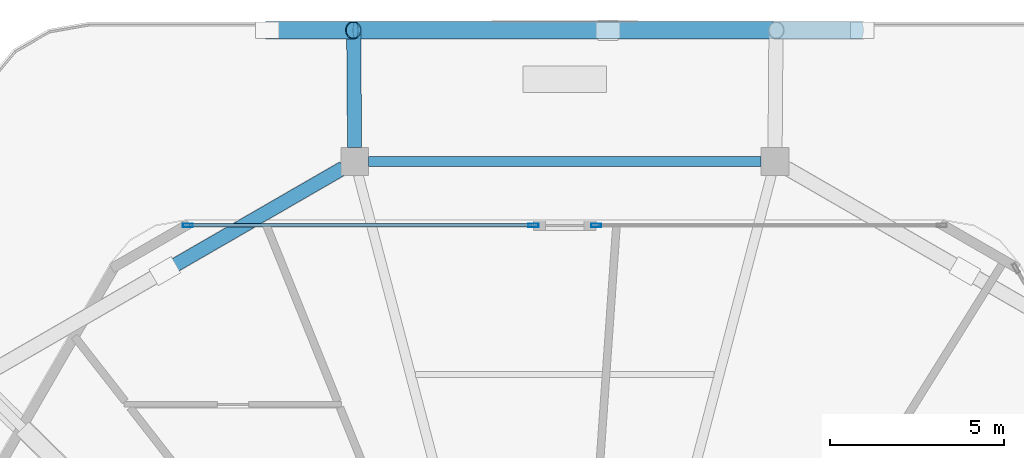
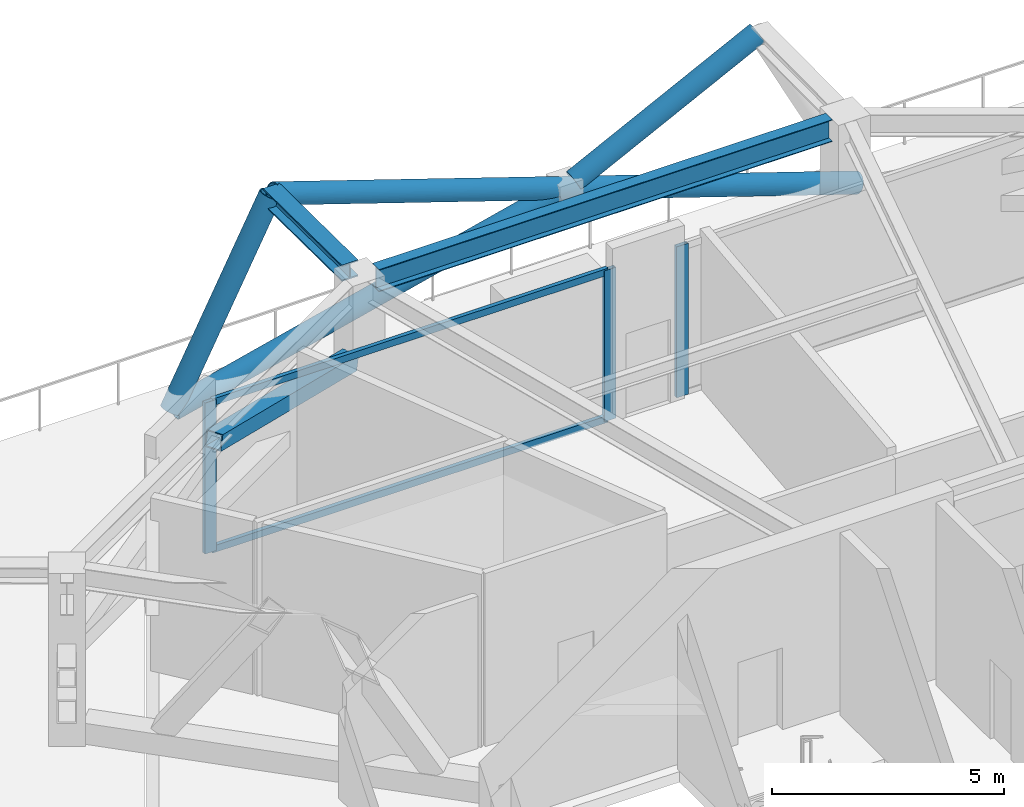
# One storey, part 8 of 19: 10 members, 2 beams, 2 elements without a shape of their own.
"""IFC4 building model written with IfcOpenShell, lengths in metres."""

import ifcopenshell
import ifcopenshell.guid

model = None  # the IFC model being written
_history = None  # IfcOwnerHistory: only IFC2X3 demands one
_inside = {}  # id of a spatial element -> (the spatial element, [elements in it])
_under = {}  # id of a project, library or spatial element -> (it, [spatial elements below it])
_declared = {}  # id of a project -> (the project, [libraries it declares])
_typed = {}  # id of a type object -> (the type object, [elements of that type])
_made_of = {}  # id of a material, layer set ... -> (it, [elements and type objects made of it])


def new_model(schema):
    """Start an empty IFC model of exactly this schema.

    Asked for "IFC4X3", IfcOpenShell would pick the latest addendum, in which some entities
    have other attributes; the version numbers below select the first issue.
    IFC2X3 requires an IfcOwnerHistory on every rooted entity: one is made here for all.
    """
    global model, _history
    if schema == "IFC4X3":
        model = ifcopenshell.file(schema_version=(4, 3, 0, 0))
    else:
        model = ifcopenshell.file(schema=schema)
    _inside.clear()
    _under.clear()
    _declared.clear()
    _typed.clear()
    _made_of.clear()
    _history = None
    if model.schema == "IFC2X3":
        org = make("IfcOrganization", Name="unknown")
        user = make(
            "IfcPersonAndOrganization",
            ThePerson=make("IfcPerson", FamilyName="unknown"),
            TheOrganization=org,
        )
        app = make(
            "IfcApplication",
            ApplicationDeveloper=org,
            Version="unknown",
            ApplicationFullName="unknown",
            ApplicationIdentifier="unknown",
        )
        _history = make(
            "IfcOwnerHistory",
            OwningUser=user,
            OwningApplication=app,
            ChangeAction="ADDED",
            CreationDate=0,
        )
    return model


def make(cls, **values):
    """One entity of the class cls with the attributes given. An attribute that is None is left unset."""
    return model.create_entity(
        cls, **{name: value for name, value in values.items() if value is not None}
    )


def rooted(cls, **values):
    """An entity with a GlobalId (a new one), such as an element, a storey or a relation."""
    return make(cls, GlobalId=ifcopenshell.guid.new(), OwnerHistory=_history, **values)


def si_unit(unit_type, name, prefix=None):
    """IfcSIUnit, for example si_unit("LENGTHUNIT", "METRE", prefix="MILLI")."""
    return make("IfcSIUnit", UnitType=unit_type, Prefix=prefix, Name=name)


def assignment(units):
    """IfcUnitAssignment: the units of a project."""
    return None if units is None else make("IfcUnitAssignment", Units=units)


def point(xyz):
    """IfcCartesianPoint."""
    return None if xyz is None else make("IfcCartesianPoint", Coordinates=xyz)


def direction(xyz):
    """IfcDirection."""
    return None if xyz is None else make("IfcDirection", DirectionRatios=xyz)


def frame(location, z_axis=None, x_axis=None):
    """IfcAxis2Placement3D, a coordinate frame: its origin and axes. An axis left out is left unset."""
    return make(
        "IfcAxis2Placement3D",
        Location=point(location),
        Axis=direction(z_axis),
        RefDirection=direction(x_axis),
    )


def frame_2d(location, x_axis=None):
    """IfcAxis2Placement2D, a coordinate frame in the plane: its origin and x axis."""
    return make(
        "IfcAxis2Placement2D", Location=point(location), RefDirection=direction(x_axis)
    )


def origin():
    """The frame at (0, 0, 0) with its axes left unset."""
    return frame((0.0, 0.0, 0.0))


def origin_2d():
    """The frame at (0, 0) in the plane with its x axis left unset."""
    return frame_2d((0.0, 0.0))


def place(relative_to, where):
    """IfcLocalPlacement: puts the frame where relative to a parent placement (None: the world)."""
    return make(
        "IfcLocalPlacement", PlacementRelTo=relative_to, RelativePlacement=where
    )


def context(
    kind, dimensions, precision=None, world=None, true_north=None, identifier=None
):
    """IfcGeometricRepresentationContext, for example the 3D "Model" context."""
    return make(
        "IfcGeometricRepresentationContext",
        ContextIdentifier=identifier,
        ContextType=kind,
        CoordinateSpaceDimension=dimensions,
        Precision=precision,
        WorldCoordinateSystem=world,
        TrueNorth=true_north,
    )


def subcontext(parent, identifier, kind, view, scale=None):
    """IfcGeometricRepresentationSubContext, for example "Body" below "Model"."""
    return make(
        "IfcGeometricRepresentationSubContext",
        ContextIdentifier=identifier,
        ContextType=kind,
        ParentContext=parent,
        TargetScale=scale,
        TargetView=view,
    )


def project(units=None, contexts=None):
    """IfcProject with its units and contexts."""
    return rooted(
        "IfcProject",
        Name="project",
        RepresentationContexts=contexts,
        UnitsInContext=assignment(units),
    )


def spatial(cls, under=None, at=None, **own):
    """A site, building, storey or space (cls), placed at a placement, below another one or the project."""
    s = rooted(cls, ObjectPlacement=at, **own)
    if under is not None:
        _under.setdefault(under.id(), (under, []))[1].append(s)
    return s


def profile(cls, at=None, kind="AREA", **sizes):
    """A parametric profile (cls). Its sizes go by their IFC names, for example OverallWidth=200.0."""
    return make(cls, ProfileType=kind, Position=at, **sizes)


def hollow_rectangle(**sizes):
    """IfcRectangleHollowProfileDef."""
    return profile("IfcRectangleHollowProfileDef", **sizes)


def hollow_circle(**sizes):
    """IfcCircleHollowProfileDef."""
    return profile("IfcCircleHollowProfileDef", **sizes)


def i_section(**sizes):
    """IfcIShapeProfileDef."""
    return profile("IfcIShapeProfileDef", **sizes)


def extrude(swept, where, along, depth):
    """IfcExtrudedAreaSolid: the profile swept, set in the frame where, extruded along a direction by depth."""
    return make(
        "IfcExtrudedAreaSolid",
        SweptArea=swept,
        Position=where,
        ExtrudedDirection=direction(along),
        Depth=depth,
    )


def shape(context_of_items, identifier, shape_type, items):
    """IfcShapeRepresentation: the items that make up one representation, for example the "Body"."""
    return make(
        "IfcShapeRepresentation",
        ContextOfItems=context_of_items,
        RepresentationIdentifier=identifier,
        RepresentationType=shape_type,
        Items=items,
    )


def material(Name=None, Category=None):
    """IfcMaterial."""
    return make("IfcMaterial", Name=Name, Category=Category)


def material_profile(
    of_material, cross_section, Name=None, Category=None, Priority=None
):
    """IfcMaterialProfile: a cross section and its material."""
    return make(
        "IfcMaterialProfile",
        Name=Name,
        Material=of_material,
        Profile=cross_section,
        Priority=Priority,
        Category=Category,
    )


def profile_set(profiles, Name=None, composite=None):
    """IfcMaterialProfileSet."""
    return make(
        "IfcMaterialProfileSet",
        Name=Name,
        MaterialProfiles=profiles,
        CompositeProfile=composite,
    )


def made_of(thing, what):
    """Note that an element or type object is made of a material, layer set ...; save() writes the relation."""
    if what is not None:
        _made_of.setdefault(what.id(), (what, []))[1].append(thing)
    return thing


def type_object(cls, material=None, **own):
    """A type object (cls), such as IfcWallType, which elements share."""
    return made_of(rooted(cls, **own), material)


def element(
    cls,
    number,
    at=None,
    inside=None,
    cuts=None,
    type_object=None,
    material=None,
    context=None,
    identifier="Body",
    shape_type=None,
    held_by="IfcProductDefinitionShape",
    body=None,
    shapes=None,
    **own,
):
    """One element of the class cls, such as IfcWall. Its Tag is "e" and its number.

    at: its placement. inside: the storey or other place that contains it. cuts: it is an
    opening in that element (IfcRelVoidsElement). A single representation is given by context,
    identifier, shape_type and body (its items); several are given by shapes. held_by: the class
    of the entity that holds the representations. save() writes the other relations.
    """
    e = rooted(cls, Tag="e%d" % number, ObjectPlacement=at, **own)
    if body is not None:
        shapes = [shape(context, identifier, shape_type, body)]
    if shapes is not None:
        e.Representation = make(held_by, Representations=shapes)
    if inside is not None:
        _inside.setdefault(inside.id(), (inside, []))[1].append(e)
    if cuts is not None:
        rooted(
            "IfcRelVoidsElement", RelatingBuildingElement=cuts, RelatedOpeningElement=e
        )
    if type_object is not None:
        _typed.setdefault(type_object.id(), (type_object, []))[1].append(e)
    return made_of(e, material)


def aggregate(whole, parts):
    """IfcRelAggregates: a whole, such as a stair, and the parts it consists of."""
    return rooted("IfcRelAggregates", RelatingObject=whole, RelatedObjects=parts)


def save(model, path):
    """Write the relations noted so far, then the file.

    IfcRelAggregates (storeys below a building ...), IfcRelContainedInSpatialStructure (elements
    in a storey), IfcRelDefinesByType, IfcRelAssociatesMaterial and IfcRelDeclares: one each for
    every whole, place, type object, material and project.
    """
    for whole, parts in _under.values():
        aggregate(whole, parts)
    for where, things in _inside.values():
        rooted(
            "IfcRelContainedInSpatialStructure",
            RelatedElements=things,
            RelatingStructure=where,
        )
    for kind, things in _typed.values():
        rooted("IfcRelDefinesByType", RelatedObjects=things, RelatingType=kind)
    for what, things in _made_of.values():
        rooted("IfcRelAssociatesMaterial", RelatedObjects=things, RelatingMaterial=what)
    for by, libraries in _declared.values():
        rooted("IfcRelDeclares", RelatingContext=by, RelatedDefinitions=libraries)
    model.write(path)


model = new_model("IFC4")

# Units and contexts
model_context = context("Model", 3, precision=1e-05, world=origin(), true_north=direction((0.0, 1.0)))
body_context = subcontext(model_context, "Body", "Model", "MODEL_VIEW")
ifc_project = project(units=[si_unit("LENGTHUNIT", "METRE"), si_unit("AREAUNIT", "SQUARE_METRE"), si_unit("VOLUMEUNIT", "CUBIC_METRE"), si_unit("PLANEANGLEUNIT", "RADIAN"), si_unit("MASSUNIT", "GRAM", prefix="KILO")], contexts=[model_context])

# Site, building, storey
site_placement = place(None, origin())
site = spatial("IfcSite", under=ifc_project, at=site_placement, CompositionType="ELEMENT")
building_placement = place(site_placement, origin())
building = spatial("IfcBuilding", under=site, at=building_placement, Name="Zuhravey Tower", CompositionType="ELEMENT")
storey_placement = place(building_placement, frame((0.0, 0.0, 303.39990234375)))
storey = spatial("IfcBuildingStorey", under=building, at=storey_placement, Name="L77", CompositionType="ELEMENT", Elevation=303.39990234375)

# Member
ifc_material_1 = material(Name="Steel SM355", Category="steel")
ifc_material_profile_1 = material_profile(ifc_material_1, hollow_rectangle(XDim=0.39990234375, YDim=0.39990234375, WallThickness=0.02490234375, at=origin_2d()), Name="RHS-400x400x25")
ifc_profile_set_1 = profile_set([ifc_material_profile_1], Name="Steel SM355")
member_type_1 = type_object("IfcMemberType", Name="Belt Truss Diagonal RHS400x400", PredefinedType="BRACE", material=ifc_profile_set_1)
member_1_placement = place(storey_placement, frame((29.597900390625, 54.854248046875, 2.49365234375), z_axis=(-0.841308559202, -0.485733126091, 0.237198731936), x_axis=(0.500002627198, -0.866023886965, 0.0)))
element("IfcMember", 1, at=member_1_placement, inside=storey, type_object=member_type_1, Name="L77 Belt Truss Diagonal BTD1-03.1", PredefinedType="BRACE", context=body_context, shape_type="SweptSolid", body=[
    extrude(hollow_rectangle(XDim=0.39990234375, YDim=0.39990234375, WallThickness=0.02490234375, at=origin_2d()), origin(), (0.0, 0.0, 1.0), 6.030517578125),
])

# Beam
ifc_material_2 = material(Name="Steel SM460", Category="steel")
ifc_material_profile_2 = material_profile(ifc_material_2, i_section(OverallWidth=0.406982421875, OverallDepth=0.427978515625, WebThickness=0.02001953125, FlangeThickness=0.034912109375, at=origin_2d()), Name="H-428x407x20x35")
ifc_profile_set_2 = profile_set([ifc_material_profile_2], Name="Steel SM460")
beam_type_1 = type_object("IfcBeamType", Name="Exoskeleton Node Tie Beam H428x407", PredefinedType="BEAM", material=ifc_profile_set_2)
beam_1_placement = place(storey_placement, frame((29.958251953125, 55.468017578125, 4.336181640625), z_axis=(-0.007649492054, 0.999970742208, 0.0), x_axis=(-0.999970742208, -0.007649492054, 0.0)))
element("IfcBeam", 2, at=beam_1_placement, inside=storey, type_object=beam_type_1, Name="L77 Exoskeleton Node Tie NT1-04", PredefinedType="BEAM", context=body_context, shape_type="SweptSolid", body=[
    extrude(i_section(OverallWidth=0.406982421875, OverallDepth=0.427978515625, WebThickness=0.02001953125, FlangeThickness=0.034912109375, at=origin_2d()), origin(), (0.0, 0.0, 1.0), 3.35107421875),
])

# Members
ifc_material_profile_3 = material_profile(ifc_material_1, hollow_circle(Radius=0.25390625, WallThickness=0.02490234375, at=origin_2d()), Name="CHS-508.0x25")
ifc_profile_set_3 = profile_set([ifc_material_profile_3], Name="Steel SM355")
member_type_2 = type_object("IfcMemberType", Name="Exoskeleton Zone 4 Diagrid CHS508x25", PredefinedType="BRACE", material=ifc_profile_set_3)
member_2_placement = place(storey_placement, frame((44.5009765625, 58.833984375, -0.477783203125), z_axis=(-0.949507044992, 0.0, 0.313745711541), x_axis=(0.0, -1.0, 0.0)))
element("IfcMember", 3, at=member_2_placement, inside=storey, type_object=member_type_2, Name="L77 Face 2 Diagrid Brace 2", PredefinedType="BRACE", context=body_context, shape_type="SweptSolid", body=[
    extrude(hollow_circle(Radius=0.25390625, WallThickness=0.02490234375, at=origin_2d()), origin(), (0.0, 0.0, 1.0), 15.292236328125),
])
member_3_placement = place(storey_placement, frame((27.458740234375, 58.833984375, -0.477783203125), z_axis=(0.457070855605, 0.0, 0.889430285608), x_axis=(0.0, 1.0, 0.0)))
element("IfcMember", 4, at=member_3_placement, inside=storey, type_object=member_type_2, Name="L77 Face 2 Diagrid Brace 4", PredefinedType="BRACE", context=body_context, shape_type="SweptSolid", body=[
    extrude(hollow_circle(Radius=0.25390625, WallThickness=0.02490234375, at=origin_2d()), origin(), (0.0, 0.0, 1.0), 5.394287109375),
])
member_4_placement = place(storey_placement, frame((27.5, 58.833984375, -0.481689453125), z_axis=(0.970902030171, 0.0, 0.239477029816), x_axis=(0.0, 1.0, 0.0)))
element("IfcMember", 5, at=member_4_placement, inside=storey, type_object=member_type_2, Name="L77 Face 2 Split Diagrid Brace 3A", PredefinedType="BRACE", context=body_context, shape_type="SweptSolid", body=[
    extrude(hollow_circle(Radius=0.25390625, WallThickness=0.02490234375, at=origin_2d()), origin(), (0.0, 0.0, 1.0), 9.7890625),
])
member_5_placement = place(storey_placement, frame((37.459228515625, 58.833984375, 2.0302734375), z_axis=(0.894293160013, 0.0, 0.447481557111), x_axis=(0.0, 1.0, 0.0)))
element("IfcMember", 6, at=member_5_placement, inside=storey, type_object=member_type_2, Name="L77 Face 2 Split Diagrid Brace 3B", PredefinedType="BRACE", context=body_context, shape_type="SweptSolid", body=[
    extrude(hollow_circle(Radius=0.25390625, WallThickness=0.02490234375, at=origin_2d()), origin(), (0.0, 0.0, 1.0), 5.101806640625),
])

# Curtain wall, members
ifc_material_3 = material(Name="Thermally broken anodised aluminium", Category="aluminium")
curtain_wall_type = type_object("IfcCurtainWallType", Name="Sky-Garden Tray Clerestory Curtain Wall CW5", PredefinedType="NOTDEFINED", material=ifc_material_3)
curtain_wall_1_placement = place(storey_placement, origin())
curtain_wall_1 = element("IfcCurtainWall", 7, at=curtain_wall_1_placement, inside=storey, type_object=curtain_wall_type, Name="L77 CW5 CW-L77-F2-1", PredefinedType="NOTDEFINED")
ifc_material_4 = material(Name="Anodised aluminium", Category="aluminium")
ifc_material_profile_4 = material_profile(ifc_material_4, hollow_rectangle(XDim=0.10009765625, YDim=0.2900390625, WallThickness=0.006103515625, at=origin_2d()), Name="ALU-RHS-100x290x6")
ifc_profile_set_4 = profile_set([ifc_material_profile_4], Name="Anodised aluminium")
member_type_3 = type_object("IfcMemberType", Name="Heavy Tall-Storey Mullion 100x220", PredefinedType="MULLION", material=ifc_profile_set_4)
member_6_placement = place(storey_placement, frame((25.16748046875, 53.22412109375, 0.0), z_axis=(0.0, 0.0, 1.0), x_axis=(0.0, 1.0, 0.0)))
member_6 = element("IfcMember", 8, at=member_6_placement, type_object=member_type_3, Name="CW5 mullion 1", PredefinedType="MULLION", context=body_context, shape_type="SweptSolid", body=[
    extrude(hollow_rectangle(XDim=0.10009765625, YDim=0.2900390625, WallThickness=0.006103515625, at=origin_2d()), origin(), (0.0, 0.0, 1.0), 3.97021484375),
])
member_7_placement = place(storey_placement, frame((35.10009765625, 53.22412109375, 0.0), z_axis=(0.0, 0.0, 1.0), x_axis=(0.0, 1.0, 0.0)))
member_7 = element("IfcMember", 9, at=member_7_placement, type_object=member_type_3, Name="CW5 mullion 2", PredefinedType="MULLION", context=body_context, shape_type="SweptSolid", body=[
    extrude(hollow_rectangle(XDim=0.10009765625, YDim=0.2900390625, WallThickness=0.006103515625, at=origin_2d()), origin(), (0.0, 0.0, 1.0), 3.97021484375),
])

# Curtain wall, member
curtain_wall_2_placement = place(storey_placement, origin())
curtain_wall_2 = element("IfcCurtainWall", 10, at=curtain_wall_2_placement, inside=storey, type_object=curtain_wall_type, Name="L77 CW5 CW-L77-F2-2", PredefinedType="NOTDEFINED")
member_8_placement = place(storey_placement, frame((36.89990234375, 53.22412109375, 0.0), z_axis=(0.0, 0.0, 1.0), x_axis=(0.0, 1.0, 0.0)))
member_8 = element("IfcMember", 11, at=member_8_placement, type_object=member_type_3, Name="CW5 mullion 1", PredefinedType="MULLION", context=body_context, shape_type="SweptSolid", body=[
    extrude(hollow_rectangle(XDim=0.10009765625, YDim=0.2900390625, WallThickness=0.006103515625, at=origin_2d()), origin(), (0.0, 0.0, 1.0), 3.97021484375),
])
aggregate(curtain_wall_2, [member_8])

# Beam
ifc_material_profile_5 = material_profile(ifc_material_1, i_section(OverallWidth=0.280029296875, OverallDepth=0.580078125, WebThickness=0.011962890625, FlangeThickness=0.01904296875, at=origin_2d()), Name="H-580x280x12x19")
ifc_profile_set_5 = profile_set([ifc_material_profile_5], Name="Steel SM355")
beam_type_2 = type_object("IfcBeamType", Name="Perimeter Ring Beam H580x280", PredefinedType="BEAM", material=ifc_profile_set_5)
beam_2_placement = place(storey_placement, frame((41.6357421875, 55.064208984375, 4.260009765625), z_axis=(-1.0, 0.0, 0.0), x_axis=(0.0, -1.0, 0.0)))
element("IfcBeam", 12, at=beam_2_placement, inside=storey, type_object=beam_type_2, Name="L77 PB4 BM-L77-PB-03", PredefinedType="BEAM", context=body_context, shape_type="SweptSolid", body=[
    extrude(i_section(OverallWidth=0.280029296875, OverallDepth=0.580078125, WebThickness=0.011962890625, FlangeThickness=0.01904296875, at=origin_2d()), origin(), (0.0, 0.0, 1.0), 11.271484375),
])

# Member
ifc_material_profile_6 = material_profile(ifc_material_4, hollow_rectangle(XDim=0.10009765625, YDim=0.179931640625, WallThickness=0.006103515625, at=origin_2d()), Name="ALU-RHS-100x180x6")
ifc_profile_set_6 = profile_set([ifc_material_profile_6], Name="Anodised aluminium")
member_type_4 = type_object("IfcMemberType", Name="Tall-Storey Transom 100x180", PredefinedType="USERDEFINED", material=ifc_profile_set_6)
member_9_placement = place(storey_placement, frame((25.217529296875, 53.22412109375, 0.050048828125), z_axis=(1.0, 0.0, 0.0), x_axis=(0.0, 1.0, 0.0)))
member_9 = element("IfcMember", 13, at=member_9_placement, type_object=member_type_4, Name="CW5 transom 1.1", ObjectType="TRANSOM", PredefinedType="USERDEFINED", context=body_context, shape_type="SweptSolid", body=[
    extrude(hollow_rectangle(XDim=0.10009765625, YDim=0.179931640625, WallThickness=0.006103515625, at=origin_2d()), origin(), (0.0, 0.0, 1.0), 9.83251953125),
])

member_10_placement = place(storey_placement, frame((25.217529296875, 53.22412109375, 3.920166015625), z_axis=(1.0, 0.0, 0.0), x_axis=(0.0, 1.0, 0.0)))
member_10 = element("IfcMember", 14, at=member_10_placement, type_object=member_type_4, Name="CW5 transom 1.2", ObjectType="TRANSOM", PredefinedType="USERDEFINED", context=body_context, shape_type="SweptSolid", body=[
    extrude(hollow_rectangle(XDim=0.10009765625, YDim=0.179931640625, WallThickness=0.006103515625, at=origin_2d()), origin(), (0.0, 0.0, 1.0), 9.83251953125),
])

aggregate(curtain_wall_1, [member_6, member_7, member_9, member_10])

save(model, "model.ifc")
